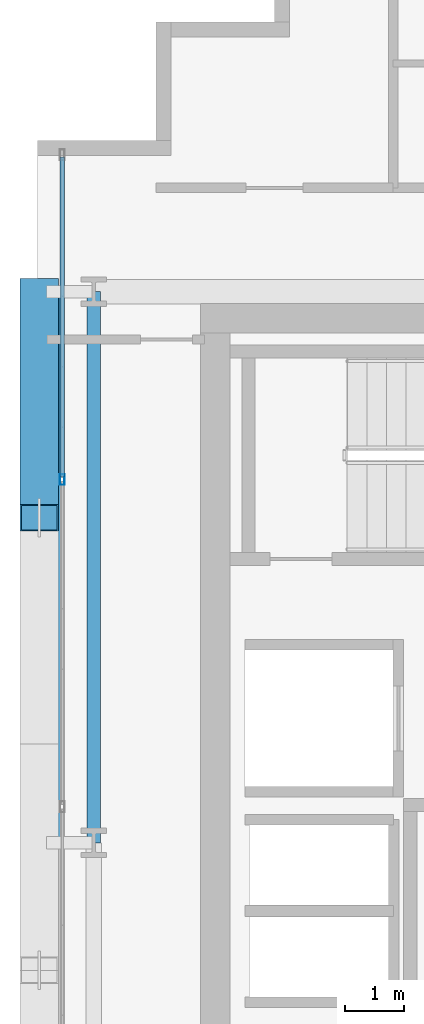
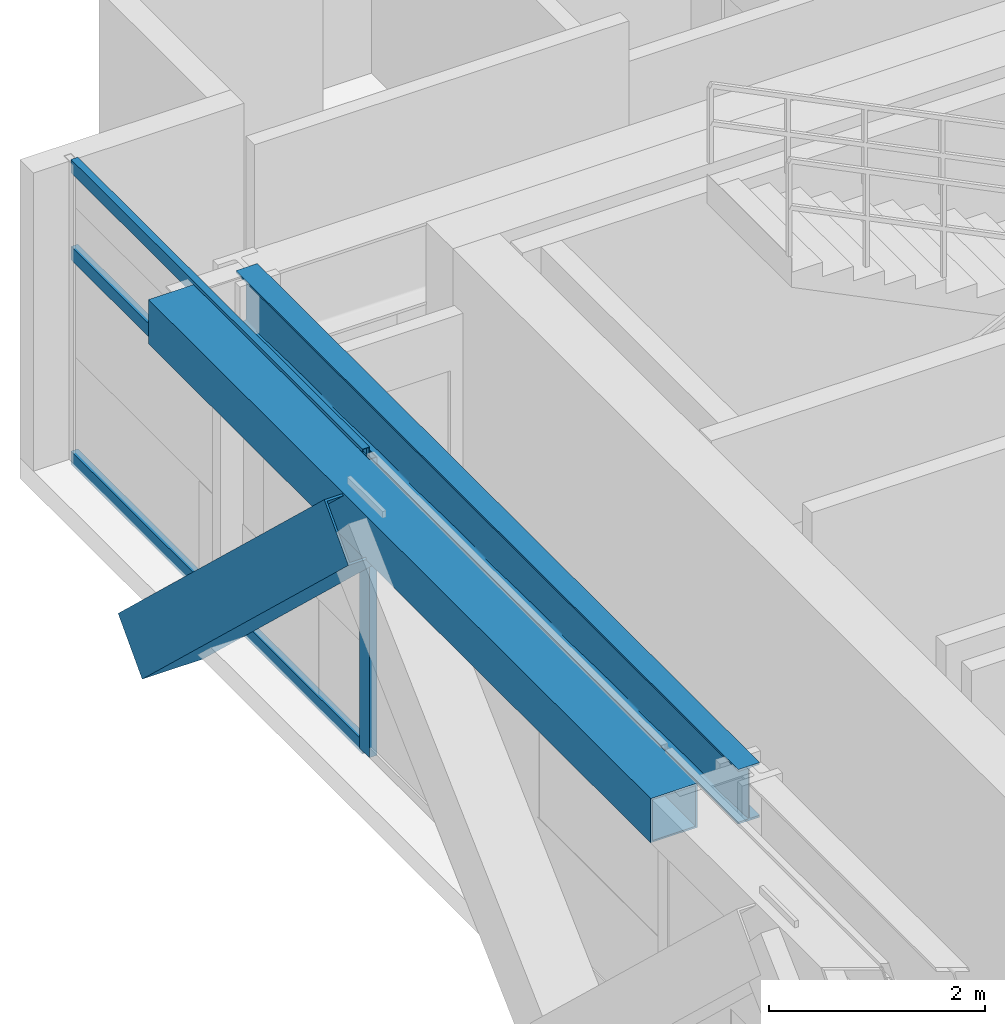
# One storey, part 8 of 31: 5 members, 2 beams, 1 element without a shape of its own.
"""IFC4 building model written with IfcOpenShell, lengths in metres."""

from ifc_helpers import new_model, si_unit, direction, frame, origin, origin_2d, place, context, subcontext, project, spatial, hollow_rectangle, i_section, extrude, source, transform, mapped, material, layer, layer_set, material_profile, profile_set, type_object, element, aggregate, save


model = new_model("IFC4")

# Units and contexts
model_context = context("Model", 3, precision=1e-05, world=origin(), true_north=direction((0.0, 1.0)))
body_context = subcontext(model_context, "Body", "Model", "MODEL_VIEW")
ifc_project = project(units=[si_unit("LENGTHUNIT", "METRE"), si_unit("AREAUNIT", "SQUARE_METRE"), si_unit("VOLUMEUNIT", "CUBIC_METRE"), si_unit("PLANEANGLEUNIT", "RADIAN"), si_unit("MASSUNIT", "GRAM", prefix="KILO")], contexts=[model_context])

# Site, building, storey
site_placement = place(None, origin())
site = spatial("IfcSite", under=ifc_project, at=site_placement, CompositionType="ELEMENT")
building_placement = place(site_placement, origin())
building = spatial("IfcBuilding", under=site, at=building_placement, Name="Ocotamira Hotel", CompositionType="ELEMENT")
storey_placement = place(building_placement, frame((0.0, 0.0, 188.39990234375)))
storey = spatial("IfcBuildingStorey", under=building, at=storey_placement, Name="L47", CompositionType="ELEMENT", Elevation=188.39990234375)

# Beams
ifc_material_1 = material(Name="Steel ASTM A992 Grade 50", Category="steel")
ifc_material_profile_1 = material_profile(ifc_material_1, i_section(OverallWidth=0.22998046875, OverallDepth=0.616943359375, WebThickness=0.01318359375, FlangeThickness=0.022216796875, FilletRadius=0.012939453125, at=origin_2d()), Name="W24X94")
ifc_profile_set_1 = profile_set([ifc_material_profile_1], Name="Steel ASTM A992 Grade 50")
beam_type_1 = type_object("IfcBeamType", Name="BM-PRIM-W24X94", PredefinedType="BEAM", material=ifc_profile_set_1)
shared_shape_1 = source(origin(), body_context, "Body", "SweptSolid", [
    extrude(i_section(OverallWidth=0.22998046875, OverallDepth=0.616943359375, WebThickness=0.01318359375, FlangeThickness=0.022216796875, FilletRadius=0.012939453125, at=origin_2d()), origin(), (0.0, 0.0, 1.0), 9.300048828125),
])
beam_1_placement = place(storey_placement, frame((8.949951171875, 28.14990234375, 3.0615234375), z_axis=(0.0, 1.0, 0.0), x_axis=(-1.0, 0.0, 0.0)))
element("IfcBeam", 1, at=beam_1_placement, inside=storey, type_object=beam_type_1, Name="L47 Beam X8.95 Y28.15-37.45", PredefinedType="BEAM", context=body_context, shape_type="MappedRepresentation", body=[
    mapped(shared_shape_1, transform((0.0, 0.0, 0.0), scale=1.0)),
])
ifc_material_2 = material(Name="Steel ASTM A500 Grade C", Category="steel")
ifc_material_profile_2 = material_profile(ifc_material_2, hollow_rectangle(XDim=0.5, YDim=0.5, WallThickness=0.02001953125, at=origin_2d()), Name="HSS500X500X20")
ifc_profile_set_2 = profile_set([ifc_material_profile_2], Name="Steel ASTM A500 Grade C")
beam_type_2 = type_object("IfcBeamType", Name="BM-SPAN-HSS500", PredefinedType="USERDEFINED", material=ifc_profile_set_2)
shared_shape_2 = source(origin(), body_context, "Body", "SweptSolid", [
    extrude(hollow_rectangle(XDim=0.5, YDim=0.5, WallThickness=0.02001953125, at=origin_2d()), origin(), (0.0, 0.0, 1.0), 9.300048828125),
])
beam_2_placement = place(storey_placement, frame((8.14990234375, 28.14990234375, 3.1201171875), z_axis=(0.0, 1.0, 0.0), x_axis=(-1.0, 0.0, 0.0)))
element("IfcBeam", 2, at=beam_2_placement, inside=storey, type_object=beam_type_2, Name="L47 Edge Spandrel W Y28.15-37.45", ObjectType="SPANDREL", PredefinedType="USERDEFINED", context=body_context, shape_type="MappedRepresentation", body=[
    mapped(shared_shape_2, transform((0.0, 0.0, 0.0), scale=1.0)),
])

# Member
ifc_material_3 = material(Name="Pale-metal coated steel ASTM A913 Grade 65", Category="steel")
ifc_material_profile_3 = material_profile(ifc_material_3, hollow_rectangle(XDim=0.64990234375, YDim=0.64990234375, WallThickness=0.02197265625, at=origin_2d()), Name="BOX650X650X22")
ifc_profile_set_3 = profile_set([ifc_material_profile_3], Name="Pale-metal coated steel ASTM A913 Grade 65")
member_type_1 = type_object("IfcMemberType", Name="MEM-EXO-BOX650", PredefinedType="BRACE", material=ifc_profile_set_3)
shared_shape_3 = source(origin(), body_context, "Body", "SweptSolid", [
    extrude(hollow_rectangle(XDim=0.64990234375, YDim=0.64990234375, WallThickness=0.02197265625, at=origin_2d()), origin(), (0.0, 0.0, 1.0), 5.24658203125),
])
member_1_placement = place(storey_placement, frame((8.030029296875, 37.449951171875, -0.47998046875), z_axis=(0.0, -0.727442733726, 0.686168397078), x_axis=(1.0, 0.0, 0.0)))
element("IfcMember", 3, at=member_1_placement, inside=storey, type_object=member_type_1, Name="L47 Exoskeleton Diagrid W2.2", PredefinedType="BRACE", context=body_context, shape_type="MappedRepresentation", body=[
    mapped(shared_shape_3, transform((0.0, 0.0, 0.0), scale=1.0)),
])

# Curtain wall, members
ifc_material_4 = material(Name="Anodised pale-metal aluminium and solar glass", Category="aluminium")
ifc_layer = layer(ifc_material_4, 0.199951171875)
ifc_layer_set = layer_set([ifc_layer], Name="Anodised pale-metal aluminium and solar glass")
curtain_wall_type = type_object("IfcCurtainWallType", Name="CW-SYS4-Z3", PredefinedType="NOTDEFINED", material=ifc_layer_set)
curtain_wall_placement = place(storey_placement, origin())
curtain_wall = element("IfcCurtainWall", 4, at=curtain_wall_placement, inside=storey, type_object=curtain_wall_type, Name="L47 Curtain Wall CW-4 CW-L47-W", PredefinedType="NOTDEFINED")
ifc_material_5 = material(Name="Anodised pale-metal aluminium 6063-T6", Category="aluminium")
ifc_material_profile_4 = material_profile(ifc_material_5, hollow_rectangle(XDim=0.080078125, YDim=0.179931640625, WallThickness=0.006103515625, at=origin_2d()), Name="HSS180X80X6")
ifc_profile_set_4 = profile_set([ifc_material_profile_4], Name="Anodised pale-metal aluminium 6063-T6")
member_type_2 = type_object("IfcMemberType", Name="CWM-180X75", PredefinedType="MULLION", material=ifc_profile_set_4)
shared_shape_4 = source(origin(), body_context, "Body", "SweptSolid", [
    extrude(hollow_rectangle(XDim=0.080078125, YDim=0.179931640625, WallThickness=0.006103515625, at=origin_2d()), origin(), (0.0, 0.0, 1.0), 3.3701171875),
])
member_2_placement = place(storey_placement, frame((8.419921875, 34.280029296875, 0.0), z_axis=(0.0, 0.0, 1.0), x_axis=(-1.0, 0.0, 0.0)))
member_2 = element("IfcMember", 5, at=member_2_placement, type_object=member_type_2, Name="CW-4 mullion 5", PredefinedType="MULLION", context=body_context, shape_type="MappedRepresentation", body=[
    mapped(shared_shape_4, transform((0.0, 0.0, 0.0), scale=1.0)),
])
ifc_material_profile_5 = material_profile(ifc_material_5, hollow_rectangle(XDim=0.074951171875, YDim=0.14990234375, WallThickness=0.006103515625, at=origin_2d()), Name="HSS150X75X6")
ifc_profile_set_5 = profile_set([ifc_material_profile_5], Name="Anodised pale-metal aluminium 6063-T6")
member_type_3 = type_object("IfcMemberType", Name="CWT-150X75", PredefinedType="USERDEFINED", material=ifc_profile_set_5)
shared_shape_5 = source(origin(), body_context, "Body", "SweptSolid", [
    extrude(hollow_rectangle(XDim=0.074951171875, YDim=0.14990234375, WallThickness=0.006103515625, at=origin_2d()), origin(), (0.0, 0.0, 1.0), 5.39990234375),
])
member_3_placement = place(storey_placement, frame((8.419921875, 34.320068359375, 0.03759765625), z_axis=(0.0, 1.0, 0.0), x_axis=(-1.0, 0.0, 0.0)))
member_3 = element("IfcMember", 6, at=member_3_placement, type_object=member_type_3, Name="CW-4 transom 5.1", ObjectType="TRANSOM", PredefinedType="USERDEFINED", context=body_context, shape_type="MappedRepresentation", body=[
    mapped(shared_shape_5, transform((0.0, 0.0, 0.0), scale=1.0)),
])
member_4_placement = place(storey_placement, frame((8.419921875, 34.320068359375, 2.35009765625), z_axis=(0.0, 1.0, 0.0), x_axis=(-1.0, 0.0, 0.0)))
member_4 = element("IfcMember", 7, at=member_4_placement, type_object=member_type_3, Name="CW-4 transom 5.2", ObjectType="TRANSOM", PredefinedType="USERDEFINED", context=body_context, shape_type="MappedRepresentation", body=[
    mapped(shared_shape_5, transform((0.0, 0.0, 0.0), scale=1.0)),
])
member_5_placement = place(storey_placement, frame((8.419921875, 34.320068359375, 3.33251953125), z_axis=(0.0, 1.0, 0.0), x_axis=(-1.0, 0.0, 0.0)))
member_5 = element("IfcMember", 8, at=member_5_placement, type_object=member_type_3, Name="CW-4 transom 5.3", ObjectType="TRANSOM", PredefinedType="USERDEFINED", context=body_context, shape_type="MappedRepresentation", body=[
    mapped(shared_shape_5, transform((0.0, 0.0, 0.0), scale=1.0)),
])
aggregate(curtain_wall, [member_2, member_3, member_4, member_5])

save(model, "model.ifc")
